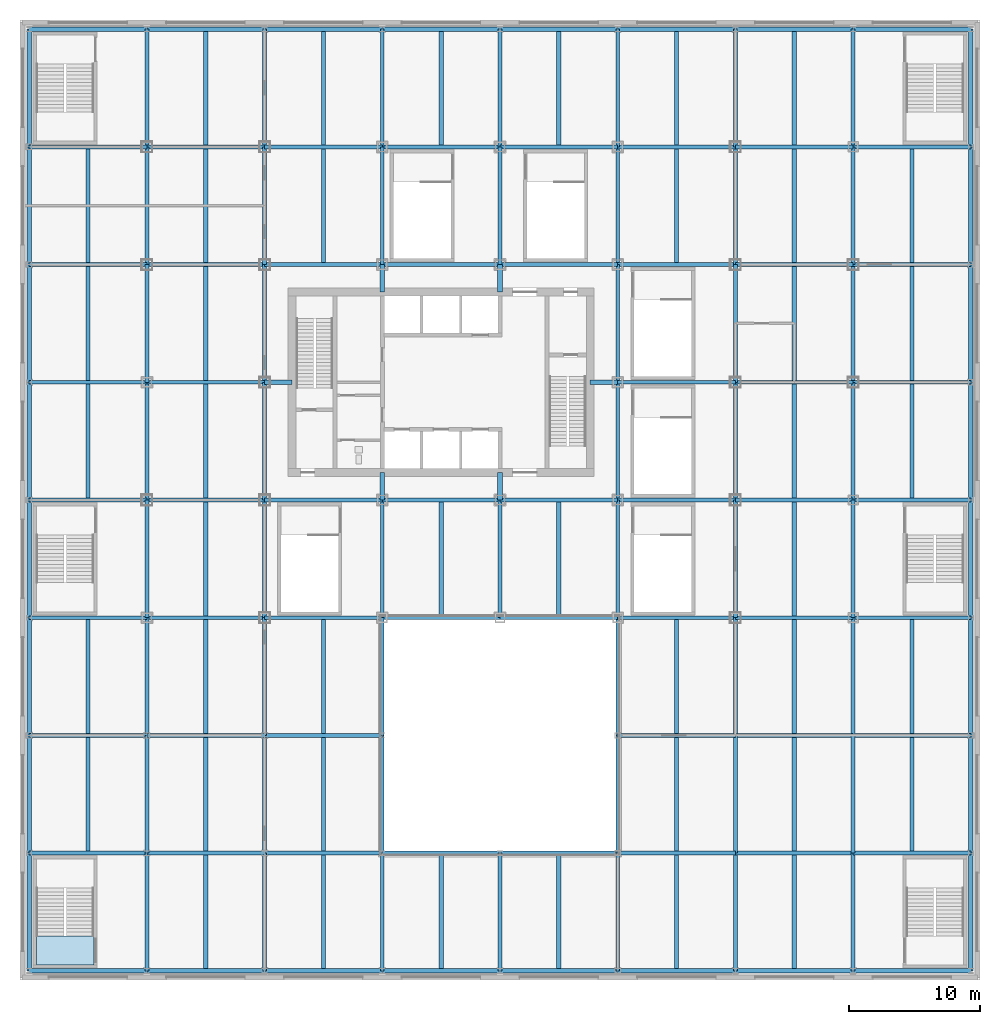
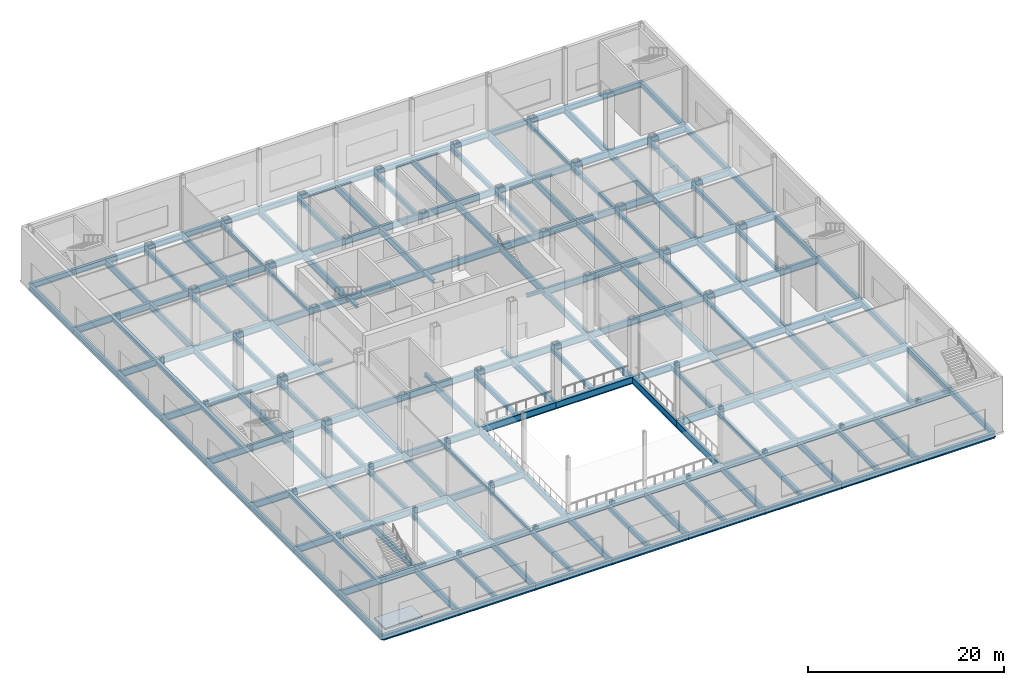
# One storey, part 9 of 32: 175 beams, 6 members, 1 slab, 1 element without a shape of its own.
"""IFC4 building model written with IfcOpenShell, lengths in metres."""

from ifc_helpers import new_model, si_unit, direction, frame, origin, origin_2d, place, context, subcontext, project, spatial, polyline, i_section, outline, extrude, material, layer, layer_set, material_profile, profile_set, type_object, element, aggregate, save


model = new_model("IFC4")

# Units and contexts
model_context = context("Model", 3, precision=1e-05, world=origin(), true_north=direction((0.0, 1.0)))
body_context = subcontext(model_context, "Body", "Model", "MODEL_VIEW")
ifc_project = project(units=[si_unit("LENGTHUNIT", "METRE"), si_unit("AREAUNIT", "SQUARE_METRE"), si_unit("VOLUMEUNIT", "CUBIC_METRE"), si_unit("PLANEANGLEUNIT", "RADIAN"), si_unit("MASSUNIT", "GRAM", prefix="KILO")], contexts=[model_context])

# Site, building, storey
site_placement = place(None, origin())
site = spatial("IfcSite", under=ifc_project, at=site_placement, CompositionType="ELEMENT")
building_placement = place(site_placement, origin())
building = spatial("IfcBuilding", under=site, at=building_placement, Name="Loomwork Tower", CompositionType="ELEMENT")
storey_placement = place(building_placement, frame((0.0, 0.0, 16.0)))
storey = spatial("IfcBuildingStorey", under=building, at=storey_placement, Name="L03", CompositionType="ELEMENT", Elevation=16.0)

# Members
ifc_material_1 = material(Name="Steel ASTM A992", Category="steel")
ifc_material_profile_1 = material_profile(ifc_material_1, i_section(OverallWidth=0.373291015625, OverallDepth=0.373291015625, WebThickness=0.016357421875, FlangeThickness=0.026123046875, at=origin_2d()), Name="W14x132")
ifc_profile_set_1 = profile_set([ifc_material_profile_1], Name="Steel ASTM A992")
member_type = type_object("IfcMemberType", Name="CORE LINK STRUT W14x132", PredefinedType="STRUT", material=ifc_profile_set_1)
for number, where, z_axis, x_axis, name in (
    (1, (36.0, 18.0, -0.436767578125), (-1.0, 0.0, 0.0), (0.0, -1.0, 0.0), "Core link strut F/6-33.900,18.000 L03"),
    (2, (18.0, 9.0, -0.436767578125), (0.0, 1.0, 0.0), (-1.0, 0.0, 0.0), "Core link strut E/4-18.000,11.100 L03"),
    (3, (18.0, 27.0, -0.436767578125), (0.0, -1.0, 0.0), (1.0, 0.0, 0.0), "Core link strut G/4-18.000,24.900 L03"),
    (4, (9.0, 18.0, -0.436767578125), (1.0, 0.0, 0.0), (0.0, 1.0, 0.0), "Core link strut F/3-11.100,18.000 L03"),
    (5, (27.0, 9.0, -0.436767578125), (0.0, 1.0, 0.0), (-1.0, 0.0, 0.0), "Core link strut E/5-27.000,11.100 L03"),
    (6, (27.0, 27.0, -0.436767578125), (0.0, -1.0, 0.0), (1.0, 0.0, 0.0), "Core link strut G/5-27.000,24.900 L03"),
):
    element("IfcMember", number, at=place(storey_placement, frame(where, z_axis=z_axis, x_axis=x_axis)), inside=storey, type_object=member_type, Name=name, PredefinedType="STRUT", context=body_context, shape_type="SweptSolid", body=[
        extrude(i_section(OverallWidth=0.373291015625, OverallDepth=0.373291015625, WebThickness=0.016357421875, FlangeThickness=0.026123046875, at=origin_2d()), origin(), (0.0, 0.0, 1.0), 2.10009765625),
    ])

# Beams
ifc_material_2 = material(Name="Steel ASTM A992", Category="steel")
ifc_material_profile_2 = material_profile(ifc_material_2, i_section(OverallWidth=0.355712890625, OverallDepth=0.696044921875, WebThickness=0.015380859375, FlangeThickness=0.024658203125, at=origin_2d()), Name="W27x146")
ifc_profile_set_2 = profile_set([ifc_material_profile_2], Name="Steel ASTM A992")
beam_type_1 = type_object("IfcBeamType", Name="EDGE GIRDER W27x146", PredefinedType="BEAM", material=ifc_profile_set_2)
for number, where, z_axis, x_axis, name in (
    (7, (-9.0, -27.0, -0.597900390625), (1.0, 0.0, 0.0), (0.0, 1.0, 0.0), "Edge Girder A/1-A/2 L03"),
    (8, (0.0, -27.0, -0.597900390625), (1.0, 0.0, 0.0), (0.0, 1.0, 0.0), "Edge Girder A/2-A/3 L03"),
    (9, (9.0, -27.0, -0.597900390625), (1.0, 0.0, 0.0), (0.0, 1.0, 0.0), "Edge Girder A/3-A/4 L03"),
    (10, (18.0, -27.0, -0.597900390625), (1.0, 0.0, 0.0), (0.0, 1.0, 0.0), "Edge Girder A/4-A/5 L03"),
    (11, (27.0, -27.0, -0.597900390625), (1.0, 0.0, 0.0), (0.0, 1.0, 0.0), "Edge Girder A/5-A/6 L03"),
    (12, (36.0, -27.0, -0.597900390625), (1.0, 0.0, 0.0), (0.0, 1.0, 0.0), "Edge Girder A/6-A/7 L03"),
    (13, (45.0, -27.0, -0.597900390625), (1.0, 0.0, 0.0), (0.0, 1.0, 0.0), "Edge Girder A/7-A/8 L03"),
    (14, (54.0, -27.0, -0.597900390625), (1.0, 0.0, 0.0), (0.0, 1.0, 0.0), "Edge Girder A/8-A/9 L03"),
    (15, (-9.0, 45.0, -0.597900390625), (1.0, 0.0, 0.0), (0.0, 1.0, 0.0), "Edge Girder J/1-J/2 L03"),
    (16, (0.0, 45.0, -0.597900390625), (1.0, 0.0, 0.0), (0.0, 1.0, 0.0), "Edge Girder J/2-J/3 L03"),
    (17, (9.0, 45.0, -0.597900390625), (1.0, 0.0, 0.0), (0.0, 1.0, 0.0), "Edge Girder J/3-J/4 L03"),
    (18, (18.0, 45.0, -0.597900390625), (1.0, 0.0, 0.0), (0.0, 1.0, 0.0), "Edge Girder J/4-J/5 L03"),
    (19, (27.0, 45.0, -0.597900390625), (1.0, 0.0, 0.0), (0.0, 1.0, 0.0), "Edge Girder J/5-J/6 L03"),
    (20, (36.0, 45.0, -0.597900390625), (1.0, 0.0, 0.0), (0.0, 1.0, 0.0), "Edge Girder J/6-J/7 L03"),
    (21, (45.0, 45.0, -0.597900390625), (1.0, 0.0, 0.0), (0.0, 1.0, 0.0), "Edge Girder J/7-J/8 L03"),
    (22, (54.0, 45.0, -0.597900390625), (1.0, 0.0, 0.0), (0.0, 1.0, 0.0), "Edge Girder J/8-J/9 L03"),
    (23, (-9.0, -27.0, -0.597900390625), (0.0, 1.0, 0.0), (-1.0, 0.0, 0.0), "Edge Girder A/1-B/1 L03"),
    (24, (-9.0, -18.0, -0.597900390625), (0.0, 1.0, 0.0), (-1.0, 0.0, 0.0), "Edge Girder B/1-C/1 L03"),
    (25, (-9.0, -9.0, -0.597900390625), (0.0, 1.0, 0.0), (-1.0, 0.0, 0.0), "Edge Girder C/1-D/1 L03"),
    (26, (-9.0, 0.0, -0.597900390625), (0.0, 1.0, 0.0), (-1.0, 0.0, 0.0), "Edge Girder D/1-E/1 L03"),
    (27, (-9.0, 9.0, -0.597900390625), (0.0, 1.0, 0.0), (-1.0, 0.0, 0.0), "Edge Girder E/1-F/1 L03"),
    (28, (-9.0, 18.0, -0.597900390625), (0.0, 1.0, 0.0), (-1.0, 0.0, 0.0), "Edge Girder F/1-G/1 L03"),
    (29, (-9.0, 27.0, -0.597900390625), (0.0, 1.0, 0.0), (-1.0, 0.0, 0.0), "Edge Girder G/1-H/1 L03"),
    (30, (-9.0, 36.0, -0.597900390625), (0.0, 1.0, 0.0), (-1.0, 0.0, 0.0), "Edge Girder H/1-J/1 L03"),
    (31, (63.0, -27.0, -0.597900390625), (0.0, 1.0, 0.0), (-1.0, 0.0, 0.0), "Edge Girder A/9-B/9 L03"),
    (32, (63.0, -18.0, -0.597900390625), (0.0, 1.0, 0.0), (-1.0, 0.0, 0.0), "Edge Girder B/9-C/9 L03"),
    (33, (63.0, -9.0, -0.597900390625), (0.0, 1.0, 0.0), (-1.0, 0.0, 0.0), "Edge Girder C/9-D/9 L03"),
    (34, (63.0, 0.0, -0.597900390625), (0.0, 1.0, 0.0), (-1.0, 0.0, 0.0), "Edge Girder D/9-E/9 L03"),
    (35, (63.0, 9.0, -0.597900390625), (0.0, 1.0, 0.0), (-1.0, 0.0, 0.0), "Edge Girder E/9-F/9 L03"),
    (36, (63.0, 18.0, -0.597900390625), (0.0, 1.0, 0.0), (-1.0, 0.0, 0.0), "Edge Girder F/9-G/9 L03"),
    (37, (63.0, 27.0, -0.597900390625), (0.0, 1.0, 0.0), (-1.0, 0.0, 0.0), "Edge Girder G/9-H/9 L03"),
    (38, (63.0, 36.0, -0.597900390625), (0.0, 1.0, 0.0), (-1.0, 0.0, 0.0), "Edge Girder H/9-J/9 L03"),
):
    element("IfcBeam", number, at=place(storey_placement, frame(where, z_axis=z_axis, x_axis=x_axis)), inside=storey, type_object=beam_type_1, Name=name, PredefinedType="BEAM", context=body_context, shape_type="SweptSolid", body=[
        extrude(i_section(OverallWidth=0.355712890625, OverallDepth=0.696044921875, WebThickness=0.015380859375, FlangeThickness=0.024658203125, at=origin_2d()), origin(), (0.0, 0.0, 1.0), 9.0),
    ])
ifc_material_3 = material(Name="Steel ASTM A992", Category="steel")
ifc_material_profile_3 = material_profile(ifc_material_3, i_section(OverallWidth=0.3251953125, OverallDepth=0.612060546875, WebThickness=0.0126953125, FlangeThickness=0.01904296875, at=origin_2d()), Name="W24x104")
ifc_profile_set_3 = profile_set([ifc_material_profile_3], Name="Steel ASTM A992")
beam_type_2 = type_object("IfcBeamType", Name="FLOOR JOIST W24x104", PredefinedType="JOIST", material=ifc_profile_set_3)
for number, where, z_axis, x_axis, name in (
    (39, (-4.5, -17.85400390625, -0.55615234375), (0.0, 1.0, 0.0), (-1.0, 0.0, 0.0), "Floor Joist -4.500,-18.000--4.500,-9.000 L03"),
    (40, (-4.5, -8.85400390625, -0.55615234375), (0.0, 1.0, 0.0), (-1.0, 0.0, 0.0), "Floor Joist -4.500,-9.000--4.500,0.000 L03"),
    (41, (-4.5, 9.14599609375, -0.55615234375), (0.0, 1.0, 0.0), (-1.0, 0.0, 0.0), "Floor Joist -4.500,9.000--4.500,18.000 L03"),
    (42, (-4.5, 18.14599609375, -0.55615234375), (0.0, 1.0, 0.0), (-1.0, 0.0, 0.0), "Floor Joist -4.500,18.000--4.500,27.000 L03"),
    (43, (-4.5, 27.14599609375, -0.55615234375), (0.0, 1.0, 0.0), (-1.0, 0.0, 0.0), "Floor Joist -4.500,27.000--4.500,36.000 L03"),
):
    element("IfcBeam", number, at=place(storey_placement, frame(where, z_axis=z_axis, x_axis=x_axis)), inside=storey, type_object=beam_type_2, Name=name, PredefinedType="JOIST", context=body_context, shape_type="SweptSolid", body=[
        extrude(i_section(OverallWidth=0.3251953125, OverallDepth=0.612060546875, WebThickness=0.0126953125, FlangeThickness=0.01904296875, at=origin_2d()), origin(), (0.0, 0.0, 1.0), 8.7080078125),
    ])
beam_1_placement = place(storey_placement, frame((4.5, -26.822998046875, -0.55615234375), z_axis=(0.0, 1.0, 0.0), x_axis=(-1.0, 0.0, 0.0)))
element("IfcBeam", 44, at=beam_1_placement, inside=storey, type_object=beam_type_2, Name="Floor Joist 4.500,-27.000-4.500,-18.000 L03", PredefinedType="JOIST", context=body_context, shape_type="SweptSolid", body=[
    extrude(i_section(OverallWidth=0.3251953125, OverallDepth=0.612060546875, WebThickness=0.0126953125, FlangeThickness=0.01904296875, at=origin_2d()), origin(), (0.0, 0.0, 1.0), 8.677001953125),
])
for number, where, z_axis, x_axis, name in (
    (45, (4.5, -17.85400390625, -0.55615234375), (0.0, 1.0, 0.0), (-1.0, 0.0, 0.0), "Floor Joist 4.500,-18.000-4.500,-9.000 L03"),
    (46, (4.5, -8.85400390625, -0.55615234375), (0.0, 1.0, 0.0), (-1.0, 0.0, 0.0), "Floor Joist 4.500,-9.000-4.500,0.000 L03"),
    (47, (4.5, 0.14599609375, -0.55615234375), (0.0, 1.0, 0.0), (-1.0, 0.0, 0.0), "Floor Joist 4.500,0.000-4.500,9.000 L03"),
    (48, (4.5, 9.14599609375, -0.55615234375), (0.0, 1.0, 0.0), (-1.0, 0.0, 0.0), "Floor Joist 4.500,9.000-4.500,18.000 L03"),
    (49, (4.5, 18.14599609375, -0.55615234375), (0.0, 1.0, 0.0), (-1.0, 0.0, 0.0), "Floor Joist 4.500,18.000-4.500,27.000 L03"),
    (50, (4.5, 27.14599609375, -0.55615234375), (0.0, 1.0, 0.0), (-1.0, 0.0, 0.0), "Floor Joist 4.500,27.000-4.500,36.000 L03"),
):
    element("IfcBeam", number, at=place(storey_placement, frame(where, z_axis=z_axis, x_axis=x_axis)), inside=storey, type_object=beam_type_2, Name=name, PredefinedType="JOIST", context=body_context, shape_type="SweptSolid", body=[
        extrude(i_section(OverallWidth=0.3251953125, OverallDepth=0.612060546875, WebThickness=0.0126953125, FlangeThickness=0.01904296875, at=origin_2d()), origin(), (0.0, 0.0, 1.0), 8.7080078125),
    ])
for number, where, z_axis, x_axis, name in (
    (51, (4.5, 36.14599609375, -0.55615234375), (0.0, 1.0, 0.0), (-1.0, 0.0, 0.0), "Floor Joist 4.500,36.000-4.500,45.000 L03"),
    (52, (13.5, -26.822998046875, -0.55615234375), (0.0, 1.0, 0.0), (-1.0, 0.0, 0.0), "Floor Joist 13.500,-27.000-13.500,-18.000 L03"),
):
    element("IfcBeam", number, at=place(storey_placement, frame(where, z_axis=z_axis, x_axis=x_axis)), inside=storey, type_object=beam_type_2, Name=name, PredefinedType="JOIST", context=body_context, shape_type="SweptSolid", body=[
        extrude(i_section(OverallWidth=0.3251953125, OverallDepth=0.612060546875, WebThickness=0.0126953125, FlangeThickness=0.01904296875, at=origin_2d()), origin(), (0.0, 0.0, 1.0), 8.677001953125),
    ])
for number, where, z_axis, x_axis, name in (
    (53, (13.5, -17.85400390625, -0.55615234375), (0.0, 1.0, 0.0), (-1.0, 0.0, 0.0), "Floor Joist 13.500,-18.000-13.500,-9.000 L03"),
    (54, (13.5, -8.85400390625, -0.55615234375), (0.0, 1.0, 0.0), (-1.0, 0.0, 0.0), "Floor Joist 13.500,-9.000-13.500,0.000 L03"),
    (55, (13.5, 27.14599609375, -0.55615234375), (0.0, 1.0, 0.0), (-1.0, 0.0, 0.0), "Floor Joist 13.500,27.000-13.500,36.000 L03"),
):
    element("IfcBeam", number, at=place(storey_placement, frame(where, z_axis=z_axis, x_axis=x_axis)), inside=storey, type_object=beam_type_2, Name=name, PredefinedType="JOIST", context=body_context, shape_type="SweptSolid", body=[
        extrude(i_section(OverallWidth=0.3251953125, OverallDepth=0.612060546875, WebThickness=0.0126953125, FlangeThickness=0.01904296875, at=origin_2d()), origin(), (0.0, 0.0, 1.0), 8.7080078125),
    ])
for number, where, z_axis, x_axis, name in (
    (56, (13.5, 36.14599609375, -0.55615234375), (0.0, 1.0, 0.0), (-1.0, 0.0, 0.0), "Floor Joist 13.500,36.000-13.500,45.000 L03"),
    (57, (22.5, -26.822998046875, -0.55615234375), (0.0, 1.0, 0.0), (-1.0, 0.0, 0.0), "Floor Joist 22.500,-27.000-22.500,-18.000 L03"),
):
    element("IfcBeam", number, at=place(storey_placement, frame(where, z_axis=z_axis, x_axis=x_axis)), inside=storey, type_object=beam_type_2, Name=name, PredefinedType="JOIST", context=body_context, shape_type="SweptSolid", body=[
        extrude(i_section(OverallWidth=0.3251953125, OverallDepth=0.612060546875, WebThickness=0.0126953125, FlangeThickness=0.01904296875, at=origin_2d()), origin(), (0.0, 0.0, 1.0), 8.677001953125),
    ])
beam_2_placement = place(storey_placement, frame((22.5, 0.14599609375, -0.55615234375), z_axis=(0.0, 1.0, 0.0), x_axis=(-1.0, 0.0, 0.0)))
element("IfcBeam", 58, at=beam_2_placement, inside=storey, type_object=beam_type_2, Name="Floor Joist 22.500,0.000-22.500,9.000 L03", PredefinedType="JOIST", context=body_context, shape_type="SweptSolid", body=[
    extrude(i_section(OverallWidth=0.3251953125, OverallDepth=0.612060546875, WebThickness=0.0126953125, FlangeThickness=0.01904296875, at=origin_2d()), origin(), (0.0, 0.0, 1.0), 8.7080078125),
])
for number, where, z_axis, x_axis, name in (
    (59, (22.5, 36.14599609375, -0.55615234375), (0.0, 1.0, 0.0), (-1.0, 0.0, 0.0), "Floor Joist 22.500,36.000-22.500,45.000 L03"),
    (60, (31.5, -26.822998046875, -0.55615234375), (0.0, 1.0, 0.0), (-1.0, 0.0, 0.0), "Floor Joist 31.500,-27.000-31.500,-18.000 L03"),
):
    element("IfcBeam", number, at=place(storey_placement, frame(where, z_axis=z_axis, x_axis=x_axis)), inside=storey, type_object=beam_type_2, Name=name, PredefinedType="JOIST", context=body_context, shape_type="SweptSolid", body=[
        extrude(i_section(OverallWidth=0.3251953125, OverallDepth=0.612060546875, WebThickness=0.0126953125, FlangeThickness=0.01904296875, at=origin_2d()), origin(), (0.0, 0.0, 1.0), 8.677001953125),
    ])
beam_3_placement = place(storey_placement, frame((31.5, 0.14599609375, -0.55615234375), z_axis=(0.0, 1.0, 0.0), x_axis=(-1.0, 0.0, 0.0)))
element("IfcBeam", 61, at=beam_3_placement, inside=storey, type_object=beam_type_2, Name="Floor Joist 31.500,0.000-31.500,9.000 L03", PredefinedType="JOIST", context=body_context, shape_type="SweptSolid", body=[
    extrude(i_section(OverallWidth=0.3251953125, OverallDepth=0.612060546875, WebThickness=0.0126953125, FlangeThickness=0.01904296875, at=origin_2d()), origin(), (0.0, 0.0, 1.0), 8.7080078125),
])
for number, where, z_axis, x_axis, name in (
    (62, (31.5, 36.14599609375, -0.55615234375), (0.0, 1.0, 0.0), (-1.0, 0.0, 0.0), "Floor Joist 31.500,36.000-31.500,45.000 L03"),
    (63, (40.5, -26.822998046875, -0.55615234375), (0.0, 1.0, 0.0), (-1.0, 0.0, 0.0), "Floor Joist 40.500,-27.000-40.500,-18.000 L03"),
):
    element("IfcBeam", number, at=place(storey_placement, frame(where, z_axis=z_axis, x_axis=x_axis)), inside=storey, type_object=beam_type_2, Name=name, PredefinedType="JOIST", context=body_context, shape_type="SweptSolid", body=[
        extrude(i_section(OverallWidth=0.3251953125, OverallDepth=0.612060546875, WebThickness=0.0126953125, FlangeThickness=0.01904296875, at=origin_2d()), origin(), (0.0, 0.0, 1.0), 8.677001953125),
    ])
for number, where, z_axis, x_axis, name in (
    (64, (40.5, -17.85400390625, -0.55615234375), (0.0, 1.0, 0.0), (-1.0, 0.0, 0.0), "Floor Joist 40.500,-18.000-40.500,-9.000 L03"),
    (65, (40.5, -8.85400390625, -0.55615234375), (0.0, 1.0, 0.0), (-1.0, 0.0, 0.0), "Floor Joist 40.500,-9.000-40.500,0.000 L03"),
    (66, (40.5, 27.14599609375, -0.55615234375), (0.0, 1.0, 0.0), (-1.0, 0.0, 0.0), "Floor Joist 40.500,27.000-40.500,36.000 L03"),
):
    element("IfcBeam", number, at=place(storey_placement, frame(where, z_axis=z_axis, x_axis=x_axis)), inside=storey, type_object=beam_type_2, Name=name, PredefinedType="JOIST", context=body_context, shape_type="SweptSolid", body=[
        extrude(i_section(OverallWidth=0.3251953125, OverallDepth=0.612060546875, WebThickness=0.0126953125, FlangeThickness=0.01904296875, at=origin_2d()), origin(), (0.0, 0.0, 1.0), 8.7080078125),
    ])
for number, where, z_axis, x_axis, name in (
    (67, (40.5, 36.14599609375, -0.55615234375), (0.0, 1.0, 0.0), (-1.0, 0.0, 0.0), "Floor Joist 40.500,36.000-40.500,45.000 L03"),
    (68, (49.5, -26.822998046875, -0.55615234375), (0.0, 1.0, 0.0), (-1.0, 0.0, 0.0), "Floor Joist 49.500,-27.000-49.500,-18.000 L03"),
):
    element("IfcBeam", number, at=place(storey_placement, frame(where, z_axis=z_axis, x_axis=x_axis)), inside=storey, type_object=beam_type_2, Name=name, PredefinedType="JOIST", context=body_context, shape_type="SweptSolid", body=[
        extrude(i_section(OverallWidth=0.3251953125, OverallDepth=0.612060546875, WebThickness=0.0126953125, FlangeThickness=0.01904296875, at=origin_2d()), origin(), (0.0, 0.0, 1.0), 8.677001953125),
    ])
for number, where, z_axis, x_axis, name in (
    (69, (49.5, -17.85400390625, -0.55615234375), (0.0, 1.0, 0.0), (-1.0, 0.0, 0.0), "Floor Joist 49.500,-18.000-49.500,-9.000 L03"),
    (70, (49.5, -8.85400390625, -0.55615234375), (0.0, 1.0, 0.0), (-1.0, 0.0, 0.0), "Floor Joist 49.500,-9.000-49.500,0.000 L03"),
    (71, (49.5, 0.14599609375, -0.55615234375), (0.0, 1.0, 0.0), (-1.0, 0.0, 0.0), "Floor Joist 49.500,0.000-49.500,9.000 L03"),
    (72, (49.5, 9.14599609375, -0.55615234375), (0.0, 1.0, 0.0), (-1.0, 0.0, 0.0), "Floor Joist 49.500,9.000-49.500,18.000 L03"),
    (73, (49.5, 18.14599609375, -0.55615234375), (0.0, 1.0, 0.0), (-1.0, 0.0, 0.0), "Floor Joist 49.500,18.000-49.500,27.000 L03"),
    (74, (49.5, 27.14599609375, -0.55615234375), (0.0, 1.0, 0.0), (-1.0, 0.0, 0.0), "Floor Joist 49.500,27.000-49.500,36.000 L03"),
):
    element("IfcBeam", number, at=place(storey_placement, frame(where, z_axis=z_axis, x_axis=x_axis)), inside=storey, type_object=beam_type_2, Name=name, PredefinedType="JOIST", context=body_context, shape_type="SweptSolid", body=[
        extrude(i_section(OverallWidth=0.3251953125, OverallDepth=0.612060546875, WebThickness=0.0126953125, FlangeThickness=0.01904296875, at=origin_2d()), origin(), (0.0, 0.0, 1.0), 8.7080078125),
    ])
beam_4_placement = place(storey_placement, frame((49.5, 36.14599609375, -0.55615234375), z_axis=(0.0, 1.0, 0.0), x_axis=(-1.0, 0.0, 0.0)))
element("IfcBeam", 75, at=beam_4_placement, inside=storey, type_object=beam_type_2, Name="Floor Joist 49.500,36.000-49.500,45.000 L03", PredefinedType="JOIST", context=body_context, shape_type="SweptSolid", body=[
    extrude(i_section(OverallWidth=0.3251953125, OverallDepth=0.612060546875, WebThickness=0.0126953125, FlangeThickness=0.01904296875, at=origin_2d()), origin(), (0.0, 0.0, 1.0), 8.677001953125),
])
for number, where, z_axis, x_axis, name in (
    (76, (58.5, -17.85400390625, -0.55615234375), (0.0, 1.0, 0.0), (-1.0, 0.0, 0.0), "Floor Joist 58.500,-18.000-58.500,-9.000 L03"),
    (77, (58.5, -8.85400390625, -0.55615234375), (0.0, 1.0, 0.0), (-1.0, 0.0, 0.0), "Floor Joist 58.500,-9.000-58.500,0.000 L03"),
    (78, (58.5, 9.14599609375, -0.55615234375), (0.0, 1.0, 0.0), (-1.0, 0.0, 0.0), "Floor Joist 58.500,9.000-58.500,18.000 L03"),
    (79, (58.5, 18.14599609375, -0.55615234375), (0.0, 1.0, 0.0), (-1.0, 0.0, 0.0), "Floor Joist 58.500,18.000-58.500,27.000 L03"),
    (80, (58.5, 27.14599609375, -0.55615234375), (0.0, 1.0, 0.0), (-1.0, 0.0, 0.0), "Floor Joist 58.500,27.000-58.500,36.000 L03"),
):
    element("IfcBeam", number, at=place(storey_placement, frame(where, z_axis=z_axis, x_axis=x_axis)), inside=storey, type_object=beam_type_2, Name=name, PredefinedType="JOIST", context=body_context, shape_type="SweptSolid", body=[
        extrude(i_section(OverallWidth=0.3251953125, OverallDepth=0.612060546875, WebThickness=0.0126953125, FlangeThickness=0.01904296875, at=origin_2d()), origin(), (0.0, 0.0, 1.0), 8.7080078125),
    ])
ifc_material_4 = material(Name="Steel ASTM A992", Category="steel")
ifc_material_profile_4 = material_profile(ifc_material_4, i_section(OverallWidth=0.2919921875, OverallDepth=0.8583984375, WebThickness=0.01708984375, FlangeThickness=0.031005859375, at=origin_2d()), Name="W33x169")
ifc_profile_set_4 = profile_set([ifc_material_profile_4], Name="Steel ASTM A992")
beam_type_3 = type_object("IfcBeamType", Name="PODIUM GIRDER W33x169", PredefinedType="BEAM", material=ifc_profile_set_4)
for number, where, z_axis, x_axis, name in (
    (81, (-9.0, -18.0, -0.67919921875), (1.0, 0.0, 0.0), (0.0, 1.0, 0.0), "Podium Girder B/1-B/2 L03"),
    (82, (0.0, -18.0, -0.67919921875), (1.0, 0.0, 0.0), (0.0, 1.0, 0.0), "Podium Girder B/2-B/3 L03"),
    (83, (9.0, -18.0, -0.67919921875), (1.0, 0.0, 0.0), (0.0, 1.0, 0.0), "Podium Girder B/3-B/4 L03"),
    (84, (18.0, -18.0, -0.67919921875), (1.0, 0.0, 0.0), (0.0, 1.0, 0.0), "Podium Girder B/4-B/5 L03"),
    (85, (27.0, -18.0, -0.67919921875), (1.0, 0.0, 0.0), (0.0, 1.0, 0.0), "Podium Girder B/5-B/6 L03"),
    (86, (36.0, -18.0, -0.67919921875), (1.0, 0.0, 0.0), (0.0, 1.0, 0.0), "Podium Girder B/6-B/7 L03"),
    (87, (45.0, -18.0, -0.67919921875), (1.0, 0.0, 0.0), (0.0, 1.0, 0.0), "Podium Girder B/7-B/8 L03"),
    (88, (54.0, -18.0, -0.67919921875), (1.0, 0.0, 0.0), (0.0, 1.0, 0.0), "Podium Girder B/8-B/9 L03"),
    (89, (-9.0, -9.0, -0.67919921875), (1.0, 0.0, 0.0), (0.0, 1.0, 0.0), "Podium Girder C/1-C/2 L03"),
    (90, (0.0, -9.0, -0.67919921875), (1.0, 0.0, 0.0), (0.0, 1.0, 0.0), "Podium Girder C/2-C/3 L03"),
    (91, (9.0, -9.0, -0.67919921875), (1.0, 0.0, 0.0), (0.0, 1.0, 0.0), "Podium Girder C/3-C/4 L03"),
    (92, (36.0, -9.0, -0.67919921875), (1.0, 0.0, 0.0), (0.0, 1.0, 0.0), "Podium Girder C/6-C/7 L03"),
    (93, (45.0, -9.0, -0.67919921875), (1.0, 0.0, 0.0), (0.0, 1.0, 0.0), "Podium Girder C/7-C/8 L03"),
    (94, (54.0, -9.0, -0.67919921875), (1.0, 0.0, 0.0), (0.0, 1.0, 0.0), "Podium Girder C/8-C/9 L03"),
    (95, (-9.0, 0.0, -0.67919921875), (1.0, 0.0, 0.0), (0.0, 1.0, 0.0), "Podium Girder D/1-D/2 L03"),
    (96, (0.0, 0.0, -0.67919921875), (1.0, 0.0, 0.0), (0.0, 1.0, 0.0), "Podium Girder D/2-D/3 L03"),
    (97, (9.0, 0.0, -0.67919921875), (1.0, 0.0, 0.0), (0.0, 1.0, 0.0), "Podium Girder D/3-D/4 L03"),
    (98, (18.0, 0.0, -0.67919921875), (1.0, 0.0, 0.0), (0.0, 1.0, 0.0), "Podium Girder D/4-D/5 L03"),
    (99, (27.0, 0.0, -0.67919921875), (1.0, 0.0, 0.0), (0.0, 1.0, 0.0), "Podium Girder D/5-D/6 L03"),
    (100, (36.0, 0.0, -0.67919921875), (1.0, 0.0, 0.0), (0.0, 1.0, 0.0), "Podium Girder D/6-D/7 L03"),
    (101, (45.0, 0.0, -0.67919921875), (1.0, 0.0, 0.0), (0.0, 1.0, 0.0), "Podium Girder D/7-D/8 L03"),
    (102, (54.0, 0.0, -0.67919921875), (1.0, 0.0, 0.0), (0.0, 1.0, 0.0), "Podium Girder D/8-D/9 L03"),
    (103, (-9.0, 9.0, -0.67919921875), (1.0, 0.0, 0.0), (0.0, 1.0, 0.0), "Podium Girder E/1-E/2 L03"),
    (104, (0.0, 9.0, -0.67919921875), (1.0, 0.0, 0.0), (0.0, 1.0, 0.0), "Podium Girder E/2-E/3 L03"),
    (105, (9.0, 9.0, -0.67919921875), (1.0, 0.0, 0.0), (0.0, 1.0, 0.0), "Podium Girder E/3-E/4 L03"),
    (106, (18.0, 9.0, -0.67919921875), (1.0, 0.0, 0.0), (0.0, 1.0, 0.0), "Podium Girder E/4-E/5 L03"),
    (107, (27.0, 9.0, -0.67919921875), (1.0, 0.0, 0.0), (0.0, 1.0, 0.0), "Podium Girder E/5-E/6 L03"),
    (108, (36.0, 9.0, -0.67919921875), (1.0, 0.0, 0.0), (0.0, 1.0, 0.0), "Podium Girder E/6-E/7 L03"),
    (109, (45.0, 9.0, -0.67919921875), (1.0, 0.0, 0.0), (0.0, 1.0, 0.0), "Podium Girder E/7-E/8 L03"),
    (110, (54.0, 9.0, -0.67919921875), (1.0, 0.0, 0.0), (0.0, 1.0, 0.0), "Podium Girder E/8-E/9 L03"),
    (111, (-9.0, 18.0, -0.67919921875), (1.0, 0.0, 0.0), (0.0, 1.0, 0.0), "Podium Girder F/1-F/2 L03"),
    (112, (0.0, 18.0, -0.67919921875), (1.0, 0.0, 0.0), (0.0, 1.0, 0.0), "Podium Girder F/2-F/3 L03"),
    (113, (36.0, 18.0, -0.67919921875), (1.0, 0.0, 0.0), (0.0, 1.0, 0.0), "Podium Girder F/6-F/7 L03"),
    (114, (45.0, 18.0, -0.67919921875), (1.0, 0.0, 0.0), (0.0, 1.0, 0.0), "Podium Girder F/7-F/8 L03"),
    (115, (54.0, 18.0, -0.67919921875), (1.0, 0.0, 0.0), (0.0, 1.0, 0.0), "Podium Girder F/8-F/9 L03"),
    (116, (-9.0, 27.0, -0.67919921875), (1.0, 0.0, 0.0), (0.0, 1.0, 0.0), "Podium Girder G/1-G/2 L03"),
    (117, (0.0, 27.0, -0.67919921875), (1.0, 0.0, 0.0), (0.0, 1.0, 0.0), "Podium Girder G/2-G/3 L03"),
    (118, (9.0, 27.0, -0.67919921875), (1.0, 0.0, 0.0), (0.0, 1.0, 0.0), "Podium Girder G/3-G/4 L03"),
    (119, (18.0, 27.0, -0.67919921875), (1.0, 0.0, 0.0), (0.0, 1.0, 0.0), "Podium Girder G/4-G/5 L03"),
    (120, (27.0, 27.0, -0.67919921875), (1.0, 0.0, 0.0), (0.0, 1.0, 0.0), "Podium Girder G/5-G/6 L03"),
    (121, (36.0, 27.0, -0.67919921875), (1.0, 0.0, 0.0), (0.0, 1.0, 0.0), "Podium Girder G/6-G/7 L03"),
    (122, (45.0, 27.0, -0.67919921875), (1.0, 0.0, 0.0), (0.0, 1.0, 0.0), "Podium Girder G/7-G/8 L03"),
    (123, (54.0, 27.0, -0.67919921875), (1.0, 0.0, 0.0), (0.0, 1.0, 0.0), "Podium Girder G/8-G/9 L03"),
    (124, (-9.0, 36.0, -0.67919921875), (1.0, 0.0, 0.0), (0.0, 1.0, 0.0), "Podium Girder H/1-H/2 L03"),
    (125, (0.0, 36.0, -0.67919921875), (1.0, 0.0, 0.0), (0.0, 1.0, 0.0), "Podium Girder H/2-H/3 L03"),
    (126, (9.0, 36.0, -0.67919921875), (1.0, 0.0, 0.0), (0.0, 1.0, 0.0), "Podium Girder H/3-H/4 L03"),
    (127, (18.0, 36.0, -0.67919921875), (1.0, 0.0, 0.0), (0.0, 1.0, 0.0), "Podium Girder H/4-H/5 L03"),
    (128, (27.0, 36.0, -0.67919921875), (1.0, 0.0, 0.0), (0.0, 1.0, 0.0), "Podium Girder H/5-H/6 L03"),
    (129, (36.0, 36.0, -0.67919921875), (1.0, 0.0, 0.0), (0.0, 1.0, 0.0), "Podium Girder H/6-H/7 L03"),
    (130, (45.0, 36.0, -0.67919921875), (1.0, 0.0, 0.0), (0.0, 1.0, 0.0), "Podium Girder H/7-H/8 L03"),
    (131, (54.0, 36.0, -0.67919921875), (1.0, 0.0, 0.0), (0.0, 1.0, 0.0), "Podium Girder H/8-H/9 L03"),
    (132, (0.0, -27.0, -0.67919921875), (0.0, 1.0, 0.0), (-1.0, 0.0, 0.0), "Podium Girder A/2-B/2 L03"),
    (133, (0.0, -18.0, -0.67919921875), (0.0, 1.0, 0.0), (-1.0, 0.0, 0.0), "Podium Girder B/2-C/2 L03"),
    (134, (0.0, -9.0, -0.67919921875), (0.0, 1.0, 0.0), (-1.0, 0.0, 0.0), "Podium Girder C/2-D/2 L03"),
    (135, (0.0, 0.0, -0.67919921875), (0.0, 1.0, 0.0), (-1.0, 0.0, 0.0), "Podium Girder D/2-E/2 L03"),
    (136, (0.0, 9.0, -0.67919921875), (0.0, 1.0, 0.0), (-1.0, 0.0, 0.0), "Podium Girder E/2-F/2 L03"),
    (137, (0.0, 18.0, -0.67919921875), (0.0, 1.0, 0.0), (-1.0, 0.0, 0.0), "Podium Girder F/2-G/2 L03"),
    (138, (0.0, 27.0, -0.67919921875), (0.0, 1.0, 0.0), (-1.0, 0.0, 0.0), "Podium Girder G/2-H/2 L03"),
    (139, (0.0, 36.0, -0.67919921875), (0.0, 1.0, 0.0), (-1.0, 0.0, 0.0), "Podium Girder H/2-J/2 L03"),
    (140, (9.0, -27.0, -0.67919921875), (0.0, 1.0, 0.0), (-1.0, 0.0, 0.0), "Podium Girder A/3-B/3 L03"),
    (141, (9.0, -18.0, -0.67919921875), (0.0, 1.0, 0.0), (-1.0, 0.0, 0.0), "Podium Girder B/3-C/3 L03"),
    (142, (9.0, -9.0, -0.67919921875), (0.0, 1.0, 0.0), (-1.0, 0.0, 0.0), "Podium Girder C/3-D/3 L03"),
    (143, (9.0, 0.0, -0.67919921875), (0.0, 1.0, 0.0), (-1.0, 0.0, 0.0), "Podium Girder D/3-E/3 L03"),
    (144, (9.0, 9.0, -0.67919921875), (0.0, 1.0, 0.0), (-1.0, 0.0, 0.0), "Podium Girder E/3-F/3 L03"),
    (145, (9.0, 18.0, -0.67919921875), (0.0, 1.0, 0.0), (-1.0, 0.0, 0.0), "Podium Girder F/3-G/3 L03"),
    (146, (9.0, 27.0, -0.67919921875), (0.0, 1.0, 0.0), (-1.0, 0.0, 0.0), "Podium Girder G/3-H/3 L03"),
    (147, (9.0, 36.0, -0.67919921875), (0.0, 1.0, 0.0), (-1.0, 0.0, 0.0), "Podium Girder H/3-J/3 L03"),
    (148, (18.0, -27.0, -0.67919921875), (0.0, 1.0, 0.0), (-1.0, 0.0, 0.0), "Podium Girder A/4-B/4 L03"),
    (149, (18.0, -18.0, -0.67919921875), (0.0, 1.0, 0.0), (-1.0, 0.0, 0.0), "Podium Girder B/4-C/4 L03"),
    (150, (18.0, -9.0, -0.67919921875), (0.0, 1.0, 0.0), (-1.0, 0.0, 0.0), "Podium Girder C/4-D/4 L03"),
    (151, (18.0, 0.0, -0.67919921875), (0.0, 1.0, 0.0), (-1.0, 0.0, 0.0), "Podium Girder D/4-E/4 L03"),
    (152, (18.0, 27.0, -0.67919921875), (0.0, 1.0, 0.0), (-1.0, 0.0, 0.0), "Podium Girder G/4-H/4 L03"),
    (153, (18.0, 36.0, -0.67919921875), (0.0, 1.0, 0.0), (-1.0, 0.0, 0.0), "Podium Girder H/4-J/4 L03"),
    (154, (27.0, -27.0, -0.67919921875), (0.0, 1.0, 0.0), (-1.0, 0.0, 0.0), "Podium Girder A/5-B/5 L03"),
    (155, (27.0, 0.0, -0.67919921875), (0.0, 1.0, 0.0), (-1.0, 0.0, 0.0), "Podium Girder D/5-E/5 L03"),
    (156, (27.0, 27.0, -0.67919921875), (0.0, 1.0, 0.0), (-1.0, 0.0, 0.0), "Podium Girder G/5-H/5 L03"),
    (157, (27.0, 36.0, -0.67919921875), (0.0, 1.0, 0.0), (-1.0, 0.0, 0.0), "Podium Girder H/5-J/5 L03"),
    (158, (36.0, -27.0, -0.67919921875), (0.0, 1.0, 0.0), (-1.0, 0.0, 0.0), "Podium Girder A/6-B/6 L03"),
    (159, (36.0, -18.0, -0.67919921875), (0.0, 1.0, 0.0), (-1.0, 0.0, 0.0), "Podium Girder B/6-C/6 L03"),
    (160, (36.0, -9.0, -0.67919921875), (0.0, 1.0, 0.0), (-1.0, 0.0, 0.0), "Podium Girder C/6-D/6 L03"),
    (161, (36.0, 0.0, -0.67919921875), (0.0, 1.0, 0.0), (-1.0, 0.0, 0.0), "Podium Girder D/6-E/6 L03"),
    (162, (36.0, 9.0, -0.67919921875), (0.0, 1.0, 0.0), (-1.0, 0.0, 0.0), "Podium Girder E/6-F/6 L03"),
    (163, (36.0, 18.0, -0.67919921875), (0.0, 1.0, 0.0), (-1.0, 0.0, 0.0), "Podium Girder F/6-G/6 L03"),
    (164, (36.0, 27.0, -0.67919921875), (0.0, 1.0, 0.0), (-1.0, 0.0, 0.0), "Podium Girder G/6-H/6 L03"),
    (165, (36.0, 36.0, -0.67919921875), (0.0, 1.0, 0.0), (-1.0, 0.0, 0.0), "Podium Girder H/6-J/6 L03"),
    (166, (45.0, -27.0, -0.67919921875), (0.0, 1.0, 0.0), (-1.0, 0.0, 0.0), "Podium Girder A/7-B/7 L03"),
    (167, (45.0, -18.0, -0.67919921875), (0.0, 1.0, 0.0), (-1.0, 0.0, 0.0), "Podium Girder B/7-C/7 L03"),
    (168, (45.0, -9.0, -0.67919921875), (0.0, 1.0, 0.0), (-1.0, 0.0, 0.0), "Podium Girder C/7-D/7 L03"),
    (169, (45.0, 0.0, -0.67919921875), (0.0, 1.0, 0.0), (-1.0, 0.0, 0.0), "Podium Girder D/7-E/7 L03"),
    (170, (45.0, 9.0, -0.67919921875), (0.0, 1.0, 0.0), (-1.0, 0.0, 0.0), "Podium Girder E/7-F/7 L03"),
    (171, (45.0, 18.0, -0.67919921875), (0.0, 1.0, 0.0), (-1.0, 0.0, 0.0), "Podium Girder F/7-G/7 L03"),
    (172, (45.0, 27.0, -0.67919921875), (0.0, 1.0, 0.0), (-1.0, 0.0, 0.0), "Podium Girder G/7-H/7 L03"),
    (173, (45.0, 36.0, -0.67919921875), (0.0, 1.0, 0.0), (-1.0, 0.0, 0.0), "Podium Girder H/7-J/7 L03"),
    (174, (54.0, -27.0, -0.67919921875), (0.0, 1.0, 0.0), (-1.0, 0.0, 0.0), "Podium Girder A/8-B/8 L03"),
    (175, (54.0, -18.0, -0.67919921875), (0.0, 1.0, 0.0), (-1.0, 0.0, 0.0), "Podium Girder B/8-C/8 L03"),
    (176, (54.0, -9.0, -0.67919921875), (0.0, 1.0, 0.0), (-1.0, 0.0, 0.0), "Podium Girder C/8-D/8 L03"),
    (177, (54.0, 0.0, -0.67919921875), (0.0, 1.0, 0.0), (-1.0, 0.0, 0.0), "Podium Girder D/8-E/8 L03"),
    (178, (54.0, 9.0, -0.67919921875), (0.0, 1.0, 0.0), (-1.0, 0.0, 0.0), "Podium Girder E/8-F/8 L03"),
    (179, (54.0, 18.0, -0.67919921875), (0.0, 1.0, 0.0), (-1.0, 0.0, 0.0), "Podium Girder F/8-G/8 L03"),
    (180, (54.0, 27.0, -0.67919921875), (0.0, 1.0, 0.0), (-1.0, 0.0, 0.0), "Podium Girder G/8-H/8 L03"),
    (181, (54.0, 36.0, -0.67919921875), (0.0, 1.0, 0.0), (-1.0, 0.0, 0.0), "Podium Girder H/8-J/8 L03"),
):
    element("IfcBeam", number, at=place(storey_placement, frame(where, z_axis=z_axis, x_axis=x_axis)), inside=storey, type_object=beam_type_3, Name=name, PredefinedType="BEAM", context=body_context, shape_type="SweptSolid", body=[
        extrude(i_section(OverallWidth=0.2919921875, OverallDepth=0.8583984375, WebThickness=0.01708984375, FlangeThickness=0.031005859375, at=origin_2d()), origin(), (0.0, 0.0, 1.0), 9.0),
    ])

# Stair, slab
ifc_material_5 = material(Name="Concrete 5000 psi (34 MPa) precast stair", Category="concrete")
stair_type = type_object("IfcStairType", Name="Stair ST-S1P 42 risers of 167 4400 wide", PredefinedType="HALF_TURN_STAIR", material=ifc_material_5)
stair_placement = place(storey_placement, origin())
stair = element("IfcStair", 182, at=stair_placement, inside=storey, type_object=stair_type, Name="Podium stair PS1 L03", PredefinedType="HALF_TURN_STAIR")
ifc_material_6 = material(Name="Concrete 5000 psi (34 MPa)", Category="concrete")
ifc_layer = layer(ifc_material_6, 0.199951171875)
ifc_layer_set = layer_set([ifc_layer], Name="Stair landing 200")
slab_type = type_object("IfcSlabType", Name="Stair landing 200", PredefinedType="LANDING", material=ifc_layer_set)
slab_placement = place(storey_placement, frame((0.0, 0.0, -0.199951171875)))
slab = element("IfcSlab", 183, at=slab_placement, type_object=slab_type, Name="ST-S1P landing 1", PredefinedType="LANDING", context=body_context, shape_type="SweptSolid", body=[
    extrude(outline(polyline([(-8.449951171875, -26.550048828125), (-4.050048828125, -26.550048828125), (-4.050048828125, -24.320068359375), (-8.449951171875, -24.320068359375), (-8.449951171875, -26.550048828125)])), origin(), (0.0, 0.0, 1.0), 0.199951171875),
])
aggregate(stair, [slab])

save(model, "model.ifc")
